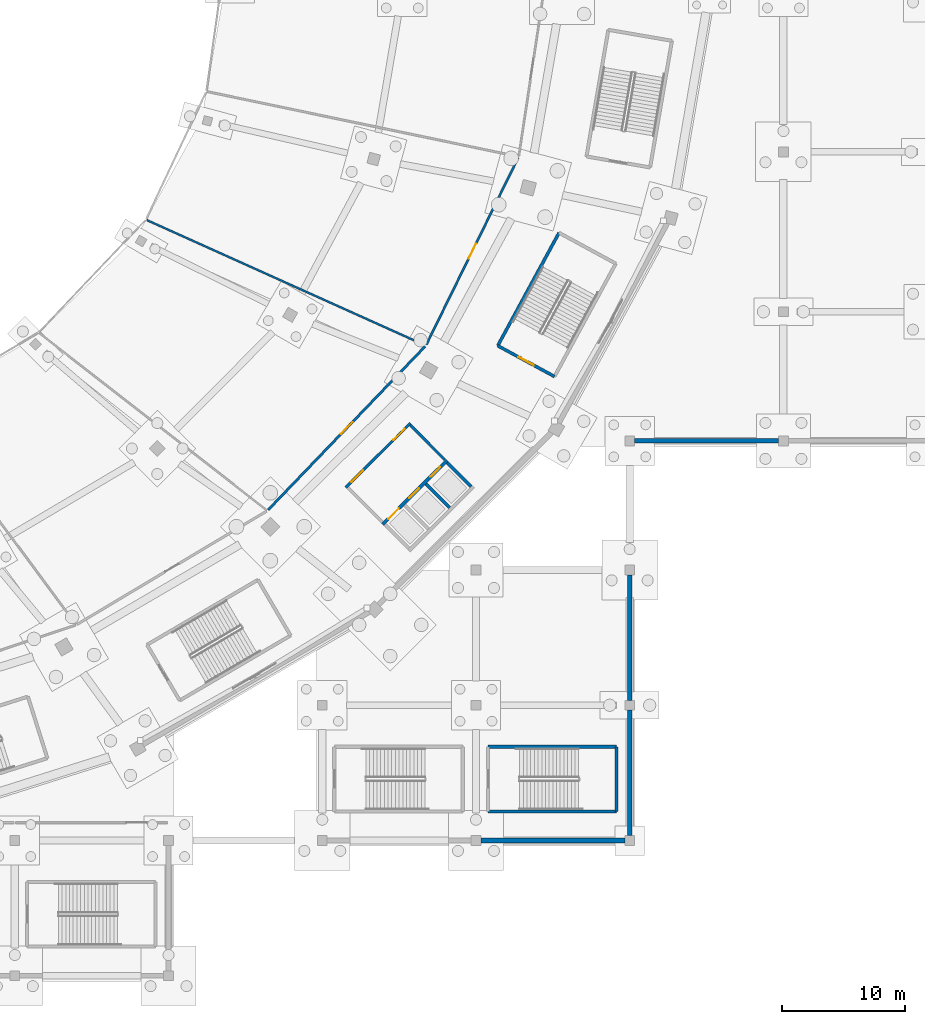
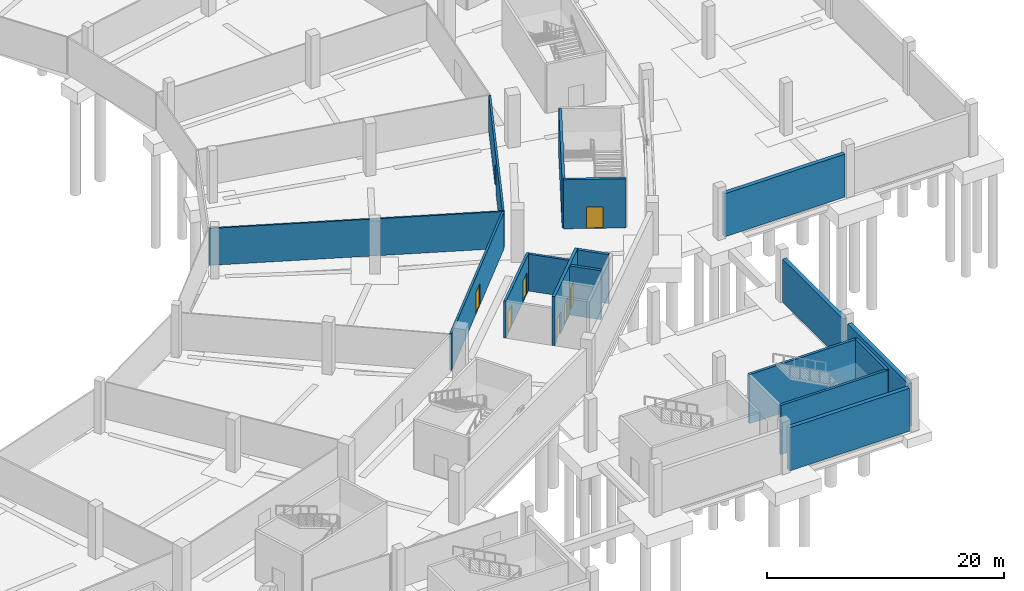
# One storey, part 40 of 74: 17 walls, 8 doors, 8 openings.
"""IFC4 building model written with IfcOpenShell, lengths in metres."""

from ifc_helpers import new_model, si_unit, direction, frame, frame_2d, origin, place, context, subcontext, project, spatial, rectangle, extrude, material, layer, layer_set, type_object, element, fill, save


model = new_model("IFC4")

# Units and contexts
model_context = context("Model", 3, precision=1e-05, world=origin(), true_north=direction((0.0, 1.0)))
body_context = subcontext(model_context, "Body", "Model", "MODEL_VIEW")
ifc_project = project(units=[si_unit("LENGTHUNIT", "METRE"), si_unit("AREAUNIT", "SQUARE_METRE"), si_unit("VOLUMEUNIT", "CUBIC_METRE"), si_unit("PLANEANGLEUNIT", "RADIAN"), si_unit("MASSUNIT", "GRAM", prefix="KILO")], contexts=[model_context])

# Site, building, storey
site_placement = place(None, origin())
site = spatial("IfcSite", under=ifc_project, at=site_placement, CompositionType="ELEMENT")
building_placement = place(site_placement, origin())
building = spatial("IfcBuilding", under=site, at=building_placement, Name="Zlatoyarsky Gate Stadium", CompositionType="ELEMENT")
storey_placement = place(building_placement, frame((0.0, 0.0, -5.39990234375)))
storey = spatial("IfcBuildingStorey", under=building, at=storey_placement, Name="B1", CompositionType="ELEMENT", Elevation=-5.39990234375)

# Wall, opening, door
ifc_material_1 = material(Name="Gypsum-clad mineral wool fire partition", Category="gypsum")
ifc_layer_1 = layer(ifc_material_1, 0.199951171875)
ifc_layer_set_1 = layer_set([ifc_layer_1], Name="Gypsum-clad mineral wool fire partition")
wall_type_1 = type_object("IfcWallType", Name="COMPARTMENT FIRE PARTITION WALL 200", PredefinedType="PARTITIONING", material=ifc_layer_set_1)
wall_1_placement = place(storey_placement, frame((168.090576171875, 37.878662109375, 0.0), z_axis=(0.0, 0.0, 1.0), x_axis=(0.692658574837, 0.72126562285, 0.0)))
wall_1 = element("IfcWall", 1, at=wall_1_placement, inside=storey, type_object=wall_type_1, Name="B1 interior partition PRT-B1-ICC-21", PredefinedType="PARTITIONING", context=body_context, shape_type="SweptSolid", body=[
    extrude(rectangle(XDim=18.442626953125, YDim=0.199951171875, at=frame_2d((9.22119140625, 0.0))), origin(), (0.0, 0.0, 1.0), 3.7998046875),
])
opening_1_placement = place(wall_1_placement, frame((8.55126953125, 0.0, 0.0)))
opening_1 = element("IfcOpeningElement", 2, at=opening_1_placement, cuts=wall_1, Name="Opening D-B1-080", PredefinedType="OPENING", context=body_context, shape_type="SweptSolid", body=[
    extrude(rectangle(XDim=1.340087890625, YDim=2.239990234375, at=frame_2d((0.669921875, 1.1201171875))), frame((0.0, 0.10986328125, 0.0), z_axis=(0.0, -1.0, 0.0), x_axis=(1.0, 0.0, 0.0)), (0.0, 0.0, 1.0), 0.219970703125),
])
ifc_material_2 = material(Name="Powder-coated steel fire door", Category="steel")
door_type_1 = type_object("IfcDoorType", Name="ACOUSTIC INTERIOR DOOR 1340X2240", OperationType="NOTDEFINED", PredefinedType="DOOR", material=ifc_material_2)
door_1_placement = place(opening_1_placement, origin())
door_1 = element("IfcDoor", 3, at=door_1_placement, inside=storey, type_object=door_type_1, Name="B1 room door D-B1-080", OperationType="SINGLE_SWING_LEFT", OverallHeight=2.239990234375, OverallWidth=1.340087890625, PredefinedType="DOOR", context=body_context, shape_type="SweptSolid", body=[
    extrude(rectangle(XDim=1.340087890625, YDim=2.239990234375, at=frame_2d((0.669921875, 1.1201171875))), frame((0.0, 0.02490234375, 0.0), z_axis=(0.0, -1.0, 0.0), x_axis=(1.0, 0.0, 0.0)), (0.0, 0.0, 1.0), 0.050048828125),
])
fill(opening_1, door_1)

# Walls
ifc_material_3 = material(Name="Concrete C40/50", Category="concrete")
ifc_layer_2 = layer(ifc_material_3, 0.27001953125)
ifc_layer_set_2 = layer_set([ifc_layer_2], Name="Concrete C40/50")
wall_type_2 = type_object("IfcWallType", Name="CONCRETE LIFT SHAFT SHEAR WALL 270", PredefinedType="SHEAR", material=ifc_layer_set_2)
for number, where, z_axis, x_axis, name in (
    (4, (184.594970703125, 39.783203125, 0.0), (0.0, 0.0, 1.0), (-0.705322518225, 0.708886553183, 0.0), "C4 B1 lift shaft right wall"),
    (5, (182.865234375, 38.062255859375, 0.0), (0.0, 0.0, 1.0), (-0.705322518225, 0.708886553183, 0.0), "C4 B1 lift shaft divider 2"),
):
    element("IfcWall", number, at=place(storey_placement, frame(where, z_axis=z_axis, x_axis=x_axis)), inside=storey, type_object=wall_type_2, Name=name, PredefinedType="SHEAR", context=body_context, shape_type="SweptSolid", body=[
        extrude(rectangle(XDim=2.739990234375, YDim=0.27001953125, at=frame_2d((1.3701171875, 0.0))), origin(), (0.0, 0.0, 1.0), 5.0498046875),
    ])

# Wall, openings, doors
wall_2_placement = place(storey_placement, frame((177.409912109375, 36.704345703125, 0.0), z_axis=(0.0, 0.0, 1.0), x_axis=(0.708918979457, 0.705289926602, 0.0)))
wall_2 = element("IfcWall", 6, at=wall_2_placement, inside=storey, type_object=wall_type_2, Name="C4 B1 lift landing front wall", PredefinedType="SHEAR", context=body_context, shape_type="SweptSolid", body=[
    extrude(rectangle(XDim=7.400146484375, YDim=0.27001953125, at=frame_2d((3.7001953125, 0.0))), origin(), (0.0, 0.0, 1.0), 5.0498046875),
])
opening_2_placement = place(wall_2_placement, frame((0.64990234375, 0.0, 0.0)))
opening_2 = element("IfcOpeningElement", 7, at=opening_2_placement, cuts=wall_2, Name="Opening LD-FL-04-B1", PredefinedType="OPENING", context=body_context, shape_type="SweptSolid", body=[
    extrude(rectangle(XDim=1.199951171875, YDim=2.25, at=frame_2d((0.60009765625, 1.125))), frame((0.0, 0.14501953125, 0.0), z_axis=(0.0, -1.0, 0.0), x_axis=(1.0, 0.0, 0.0)), (0.0, 0.0, 1.0), 0.2900390625),
])
opening_3_placement = place(wall_2_placement, frame((3.050048828125, 0.0, 0.0)))
opening_3 = element("IfcOpeningElement", 8, at=opening_3_placement, cuts=wall_2, Name="Opening LD-LF-07-B1", PredefinedType="OPENING", context=body_context, shape_type="SweptSolid", body=[
    extrude(rectangle(XDim=1.10009765625, YDim=2.199951171875, at=frame_2d((0.550048828125, 1.10009765625))), frame((0.0, 0.14501953125, 0.0), z_axis=(0.0, -1.0, 0.0), x_axis=(1.0, 0.0, 0.0)), (0.0, 0.0, 1.0), 0.2900390625),
])
opening_4_placement = place(wall_2_placement, frame((5.5, 0.0, 0.0)))
opening_4 = element("IfcOpeningElement", 9, at=opening_4_placement, cuts=wall_2, Name="Opening LD-LF-08-B1", PredefinedType="OPENING", context=body_context, shape_type="SweptSolid", body=[
    extrude(rectangle(XDim=1.10009765625, YDim=2.199951171875, at=frame_2d((0.550048828125, 1.10009765625))), frame((0.0, 0.14501953125, 0.0), z_axis=(0.0, -1.0, 0.0), x_axis=(1.0, 0.0, 0.0)), (0.0, 0.0, 1.0), 0.2900390625),
])
door_type_2 = type_object("IfcDoorType", Name="STAINLESS LIFT LANDING SLIDING DOOR 1100X2200", OperationType="DOUBLE_DOOR_SLIDING", PredefinedType="DOOR", material=ifc_material_2)
door_2_placement = place(opening_3_placement, origin())
door_2 = element("IfcDoor", 10, at=door_2_placement, inside=storey, type_object=door_type_2, Name="Lift LF-07 B1 sliding landing door", OperationType="DOUBLE_DOOR_SLIDING", OverallHeight=2.199951171875, OverallWidth=1.10009765625, PredefinedType="DOOR", context=body_context, shape_type="SweptSolid", body=[
    extrude(rectangle(XDim=1.10009765625, YDim=2.199951171875, at=frame_2d((0.550048828125, 1.10009765625))), frame((0.0, 0.02490234375, 0.0), z_axis=(0.0, -1.0, 0.0), x_axis=(1.0, 0.0, 0.0)), (0.0, 0.0, 1.0), 0.050048828125),
])
fill(opening_3, door_2)
door_3_placement = place(opening_4_placement, origin())
door_3 = element("IfcDoor", 11, at=door_3_placement, inside=storey, type_object=door_type_2, Name="Lift LF-08 B1 sliding landing door", OperationType="DOUBLE_DOOR_SLIDING", OverallHeight=2.199951171875, OverallWidth=1.10009765625, PredefinedType="DOOR", context=body_context, shape_type="SweptSolid", body=[
    extrude(rectangle(XDim=1.10009765625, YDim=2.199951171875, at=frame_2d((0.550048828125, 1.10009765625))), frame((0.0, 0.02490234375, 0.0), z_axis=(0.0, -1.0, 0.0), x_axis=(1.0, 0.0, 0.0)), (0.0, 0.0, 1.0), 0.050048828125),
])
fill(opening_4, door_3)
door_type_3 = type_object("IfcDoorType", Name="STAINLESS LIFT LANDING SLIDING DOOR 1200X2250", OperationType="DOUBLE_DOOR_SLIDING", PredefinedType="DOOR", material=ifc_material_2)
door_4_placement = place(opening_2_placement, origin())
door_4 = element("IfcDoor", 12, at=door_4_placement, inside=storey, type_object=door_type_3, Name="Lift FL-04 B1 sliding landing door", OperationType="DOUBLE_DOOR_SLIDING", OverallHeight=2.25, OverallWidth=1.199951171875, PredefinedType="DOOR", context=body_context, shape_type="SweptSolid", body=[
    extrude(rectangle(XDim=1.199951171875, YDim=2.25, at=frame_2d((0.60009765625, 1.125))), frame((0.0, 0.02490234375, 0.0), z_axis=(0.0, -1.0, 0.0), x_axis=(1.0, 0.0, 0.0)), (0.0, 0.0, 1.0), 0.050048828125),
])
fill(opening_2, door_4)

# Walls
ifc_material_4 = material(Name="Concrete C35/45", Category="concrete")
ifc_layer_3 = layer(ifc_material_4, 0.3798828125)
ifc_layer_set_3 = layer_set([ifc_layer_3], Name="Concrete C35/45")
wall_type_3 = type_object("IfcWallType", Name="CONCRETE RAMP RETAINING WALL 380", PredefinedType="SOLIDWALL", material=ifc_layer_set_3)
for number, where, z_axis, x_axis, name in (
    (13, (197.89697265625, 43.5, 0.0), (0.0, 0.0, 1.0), (1.0, 0.0, 0.0), "V5_EAST B1 S exterior wall"),
    (14, (185.39697265625, 11.0, 0.0), (0.0, 0.0, 1.0), (1.0, 0.0, 0.0), "V6_SE B1 S exterior wall"),
):
    element("IfcWall", number, at=place(storey_placement, frame(where, z_axis=z_axis, x_axis=x_axis)), inside=storey, type_object=wall_type_3, Name=name, PredefinedType="SOLIDWALL", context=body_context, shape_type="SweptSolid", body=[
        extrude(rectangle(XDim=11.7060546875, YDim=0.3798828125, at=frame_2d((5.85302734375, 0.0))), origin(), (0.0, 0.0, 1.0), 4.429931640625),
    ])
for number, where, z_axis, x_axis, name in (
    (15, (197.5, 11.39697265625, 0.0), (0.0, 0.0, 1.0), (0.0, 1.0, 0.0), "V6_SE B1 E exterior wall"),
    (16, (197.5, 22.39697265625, 0.0), (0.0, 0.0, 1.0), (0.0, 1.0, 0.0), "V6_SE B1 E exterior wall"),
):
    element("IfcWall", number, at=place(storey_placement, frame(where, z_axis=z_axis, x_axis=x_axis)), inside=storey, type_object=wall_type_3, Name=name, PredefinedType="SOLIDWALL", context=body_context, shape_type="SweptSolid", body=[
        extrude(rectangle(XDim=10.2060546875, YDim=0.3798828125, at=frame_2d((5.10302734375, 0.0))), origin(), (0.0, 0.0, 1.0), 4.429931640625),
    ])

# Wall, opening, door
ifc_layer_4 = layer(ifc_material_3, 0.25)
ifc_layer_set_4 = layer_set([ifc_layer_4], Name="Concrete C40/50")
wall_type_4 = type_object("IfcWallType", Name="CONCRETE STAIR CORE SHEAR WALL 250", PredefinedType="SHEAR", material=ifc_layer_set_4)
wall_3_placement = place(storey_placement, frame((186.770263671875, 51.235107421875, 0.0), z_axis=(0.0, 0.0, 1.0), x_axis=(0.878941993928, -0.476928685769, 0.0)))
wall_3 = element("IfcWall", 17, at=wall_3_placement, inside=storey, type_object=wall_type_4, Name="ST-12 B1 stair core entrance shear wall", PredefinedType="SHEAR", context=body_context, shape_type="SweptSolid", body=[
    extrude(rectangle(XDim=5.25, YDim=0.25, at=frame_2d((2.625, 0.0))), origin(), (0.0, 0.0, 1.0), 5.0498046875),
])
opening_5_placement = place(wall_3_placement, frame((1.925048828125, 0.0, 0.0)))
opening_5 = element("IfcOpeningElement", 18, at=opening_5_placement, cuts=wall_3, Name="Opening SD-ST-12-B1", PredefinedType="OPENING", context=body_context, shape_type="SweptSolid", body=[
    extrude(rectangle(XDim=1.39990234375, YDim=2.199951171875, at=frame_2d((0.699951171875, 1.10009765625))), frame((0.0, 0.135009765625, 0.0), z_axis=(0.0, -1.0, 0.0), x_axis=(1.0, 0.0, 0.0)), (0.0, 0.0, 1.0), 0.27001953125),
])
door_type_4 = type_object("IfcDoorType", Name="STAIR CORE FIRE EXIT DOOR 1400X2200", OperationType="NOTDEFINED", PredefinedType="DOOR", material=ifc_material_2)
door_5_placement = place(opening_5_placement, frame((1.39990234375, 0.0, 0.0), z_axis=(0.0, 0.0, 1.0), x_axis=(-1.0, 0.0, 0.0)))
door_5 = element("IfcDoor", 19, at=door_5_placement, inside=storey, type_object=door_type_4, Name="ST-12 B1 stair fire door", OperationType="SINGLE_SWING_RIGHT", OverallHeight=2.199951171875, OverallWidth=1.39990234375, PredefinedType="DOOR", context=body_context, shape_type="SweptSolid", body=[
    extrude(rectangle(XDim=1.39990234375, YDim=2.199951171875, at=frame_2d((0.699951171875, 1.10009765625))), frame((0.0, 0.02490234375, 0.0), z_axis=(0.0, -1.0, 0.0), x_axis=(1.0, 0.0, 0.0)), (0.0, 0.0, 1.0), 0.050048828125),
])
fill(opening_5, door_5)

# Walls
for number, where, z_axis, x_axis, name in (
    (20, (191.753662109375, 60.420166015625, 0.0), (0.0, 0.0, 1.0), (-0.476886649814, -0.878964802042, 0.0), "ST-12 B1 stair core right shear wall"),
    (21, (185.97509765625, 13.375, 0.0), (0.0, 0.0, 1.0), (1.0, 0.0, 0.0), "ST-24 B1 stair core left shear wall"),
):
    element("IfcWall", number, at=place(storey_placement, frame(where, z_axis=z_axis, x_axis=x_axis)), inside=storey, type_object=wall_type_4, Name=name, PredefinedType="SHEAR", context=body_context, shape_type="SweptSolid", body=[
        extrude(rectangle(XDim=10.449951171875, YDim=0.25, at=frame_2d((5.22509765625, 0.0))), origin(), (0.0, 0.0, 1.0), 5.0498046875),
    ])
wall_4_placement = place(storey_placement, frame((196.425048828125, 13.375, 0.0), z_axis=(0.0, 0.0, 1.0), x_axis=(0.0, 1.0, 0.0)))
element("IfcWall", 22, at=wall_4_placement, inside=storey, type_object=wall_type_4, Name="ST-24 B1 stair core far shear wall", PredefinedType="SHEAR", context=body_context, shape_type="SweptSolid", body=[
    extrude(rectangle(XDim=5.25, YDim=0.25, at=frame_2d((2.625, 0.0))), origin(), (0.0, 0.0, 1.0), 5.0498046875),
])
wall_5_placement = place(storey_placement, frame((196.425048828125, 18.625, 0.0), z_axis=(0.0, 0.0, 1.0), x_axis=(-1.0, 0.0, 0.0)))
element("IfcWall", 23, at=wall_5_placement, inside=storey, type_object=wall_type_4, Name="ST-24 B1 stair core right shear wall", PredefinedType="SHEAR", context=body_context, shape_type="SweptSolid", body=[
    extrude(rectangle(XDim=10.449951171875, YDim=0.25, at=frame_2d((5.22509765625, 0.0))), origin(), (0.0, 0.0, 1.0), 5.0498046875),
])
ifc_material_5 = material(Name="Autoclaved aerated concrete masonry EI 120", Category="masonry")
ifc_layer_5 = layer(ifc_material_5, 0.219970703125)
ifc_layer_set_5 = layer_set([ifc_layer_5], Name="Autoclaved aerated concrete masonry EI 120")
wall_type_5 = type_object("IfcWallType", Name="FIREFIGHTING LOBBY RATED WALL 220", PredefinedType="PARTITIONING", material=ifc_layer_set_5)
wall_6_placement = place(storey_placement, frame((182.468505859375, 41.955810546875, 0.0), z_axis=(0.0, 0.0, 1.0), x_axis=(-0.705294916294, 0.708914015273, 0.0)))
element("IfcWall", 24, at=wall_6_placement, inside=storey, type_object=wall_type_5, Name="C4 B1 firefighting lobby right wall", PredefinedType="PARTITIONING", context=body_context, shape_type="SweptSolid", body=[
    extrude(rectangle(XDim=3.97998046875, YDim=0.219970703125, at=frame_2d((1.989990234375, 0.0))), origin(), (0.0, 0.0, 1.0), 3.7998046875),
])

# Wall, openings, doors
wall_7_placement = place(storey_placement, frame((174.416015625, 39.713623046875, 0.0), z_axis=(0.0, 0.0, 1.0), x_axis=(0.708902567846, 0.705306422274, 0.0)))
wall_7 = element("IfcWall", 25, at=wall_7_placement, inside=storey, type_object=wall_type_5, Name="C4 B1 firefighting lobby front wall", PredefinedType="PARTITIONING", context=body_context, shape_type="SweptSolid", body=[
    extrude(rectangle(XDim=7.39990234375, YDim=0.219970703125, at=frame_2d((3.699951171875, 0.0))), origin(), (0.0, 0.0, 1.0), 3.7998046875),
])
opening_6_placement = place(wall_7_placement, frame((0.64990234375, 0.0, 0.0)))
opening_6 = element("IfcOpeningElement", 26, at=opening_6_placement, cuts=wall_7, Name="Opening FD-C4-B1-A", PredefinedType="OPENING", context=body_context, shape_type="SweptSolid", body=[
    extrude(rectangle(XDim=1.300048828125, YDim=2.199951171875, at=frame_2d((0.64990234375, 1.10009765625))), frame((0.0, 0.119873046875, 0.0), z_axis=(0.0, -1.0, 0.0), x_axis=(1.0, 0.0, 0.0)), (0.0, 0.0, 1.0), 0.239990234375),
])
opening_7_placement = place(wall_7_placement, frame((5.449951171875, 0.0, 0.0)))
opening_7 = element("IfcOpeningElement", 27, at=opening_7_placement, cuts=wall_7, Name="Opening FD-C4-B1-B", PredefinedType="OPENING", context=body_context, shape_type="SweptSolid", body=[
    extrude(rectangle(XDim=1.300048828125, YDim=2.199951171875, at=frame_2d((0.64990234375, 1.10009765625))), frame((0.0, 0.119873046875, 0.0), z_axis=(0.0, -1.0, 0.0), x_axis=(1.0, 0.0, 0.0)), (0.0, 0.0, 1.0), 0.239990234375),
])
door_type_5 = type_object("IfcDoorType", Name="FIREFIGHTING LOBBY FIRE DOOR 1300X2200", OperationType="NOTDEFINED", PredefinedType="DOOR", material=ifc_material_2)
door_6_placement = place(opening_6_placement, origin())
door_6 = element("IfcDoor", 28, at=door_6_placement, inside=storey, type_object=door_type_5, Name="C4 B1 firefighting lobby fire door FD-C4-B1-A", OperationType="SINGLE_SWING_LEFT", OverallHeight=2.199951171875, OverallWidth=1.300048828125, PredefinedType="DOOR", context=body_context, shape_type="SweptSolid", body=[
    extrude(rectangle(XDim=1.300048828125, YDim=2.199951171875, at=frame_2d((0.64990234375, 1.10009765625))), frame((0.0, 0.02490234375, 0.0), z_axis=(0.0, -1.0, 0.0), x_axis=(1.0, 0.0, 0.0)), (0.0, 0.0, 1.0), 0.050048828125),
])
fill(opening_6, door_6)
door_7_placement = place(opening_7_placement, origin())
door_7 = element("IfcDoor", 29, at=door_7_placement, inside=storey, type_object=door_type_5, Name="C4 B1 firefighting lobby fire door FD-C4-B1-B", OperationType="SINGLE_SWING_RIGHT", OverallHeight=2.199951171875, OverallWidth=1.300048828125, PredefinedType="DOOR", context=body_context, shape_type="SweptSolid", body=[
    extrude(rectangle(XDim=1.300048828125, YDim=2.199951171875, at=frame_2d((0.64990234375, 1.10009765625))), frame((0.0, 0.02490234375, 0.0), z_axis=(0.0, -1.0, 0.0), x_axis=(1.0, 0.0, 0.0)), (0.0, 0.0, 1.0), 0.050048828125),
])
fill(opening_7, door_7)

# Wall
ifc_material_6 = material(Name="Acoustic metal-stud gypsum partition", Category="gypsum")
ifc_layer_6 = layer(ifc_material_6, 0.159912109375)
ifc_layer_set_6 = layer_set([ifc_layer_6], Name="Acoustic metal-stud gypsum partition")
wall_type_6 = type_object("IfcWallType", Name="HOSPITALITY SUITE PARTITION 160", PredefinedType="PARTITIONING", material=ifc_layer_set_6)
wall_8_placement = place(storey_placement, frame((158.233642578125, 61.4521484375, 0.0), z_axis=(0.0, 0.0, 1.0), x_axis=(0.91192850552, -0.410349120652, 0.0)))
element("IfcWall", 30, at=wall_8_placement, inside=storey, type_object=wall_type_6, Name="B1 interior partition PRT-B1-IRD-22", PredefinedType="PARTITIONING", context=body_context, shape_type="SweptSolid", body=[
    extrude(rectangle(XDim=24.796630859375, YDim=0.159912109375, at=frame_2d((12.3984375, 0.0))), origin(), (0.0, 0.0, 1.0), 3.7998046875),
])

# Wall, opening, door
ifc_layer_7 = layer(ifc_material_1, 0.179931640625)
ifc_layer_set_7 = layer_set([ifc_layer_7], Name="Gypsum-clad mineral wool fire partition")
wall_type_7 = type_object("IfcWallType", Name="PLANT AND KITCHEN RATED WALL 180", PredefinedType="PARTITIONING", material=ifc_layer_set_7)
wall_9_placement = place(storey_placement, frame((180.96142578125, 51.318115234375, 0.0), z_axis=(0.0, 0.0, 1.0), x_axis=(0.44102112872, 0.897496720898, 0.0)))
wall_9 = element("IfcWall", 31, at=wall_9_placement, inside=storey, type_object=wall_type_7, Name="B1 interior partition PRT-B1-ICC-22", PredefinedType="PARTITIONING", context=body_context, shape_type="SweptSolid", body=[
    extrude(rectangle(XDim=16.95068359375, YDim=0.179931640625, at=frame_2d((8.475341796875, 0.0))), origin(), (0.0, 0.0, 1.0), 3.7998046875),
])
opening_8_placement = place(wall_9_placement, frame((7.80517578125, 0.0, 0.0)))
opening_8 = element("IfcOpeningElement", 32, at=opening_8_placement, cuts=wall_9, Name="Opening D-B1-083", PredefinedType="OPENING", context=body_context, shape_type="SweptSolid", body=[
    extrude(rectangle(XDim=1.340087890625, YDim=2.3798828125, at=frame_2d((0.669921875, 1.18994140625))), frame((0.0, 0.099853515625, 0.0), z_axis=(0.0, -1.0, 0.0), x_axis=(1.0, 0.0, 0.0)), (0.0, 0.0, 1.0), 0.199951171875),
])
door_type_6 = type_object("IfcDoorType", Name="ACOUSTIC INTERIOR DOOR 1340X2380", OperationType="NOTDEFINED", PredefinedType="DOOR", material=ifc_material_2)
door_8_placement = place(opening_8_placement, origin())
door_8 = element("IfcDoor", 33, at=door_8_placement, inside=storey, type_object=door_type_6, Name="B1 room door D-B1-083", OperationType="SINGLE_SWING_RIGHT", OverallHeight=2.3798828125, OverallWidth=1.340087890625, PredefinedType="DOOR", context=body_context, shape_type="SweptSolid", body=[
    extrude(rectangle(XDim=1.340087890625, YDim=2.3798828125, at=frame_2d((0.669921875, 1.18994140625))), frame((0.0, 0.02490234375, 0.0), z_axis=(0.0, -1.0, 0.0), x_axis=(1.0, 0.0, 0.0)), (0.0, 0.0, 1.0), 0.050048828125),
])
fill(opening_8, door_8)

save(model, "model.ifc")
